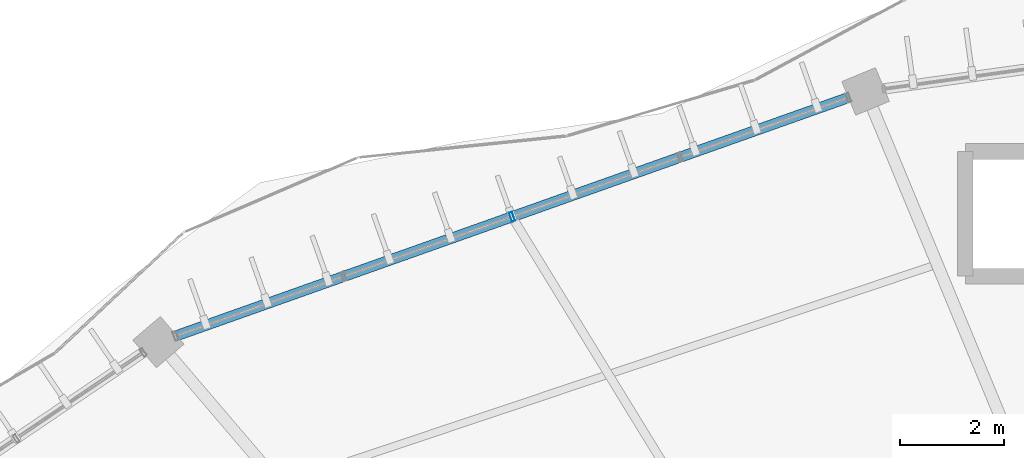
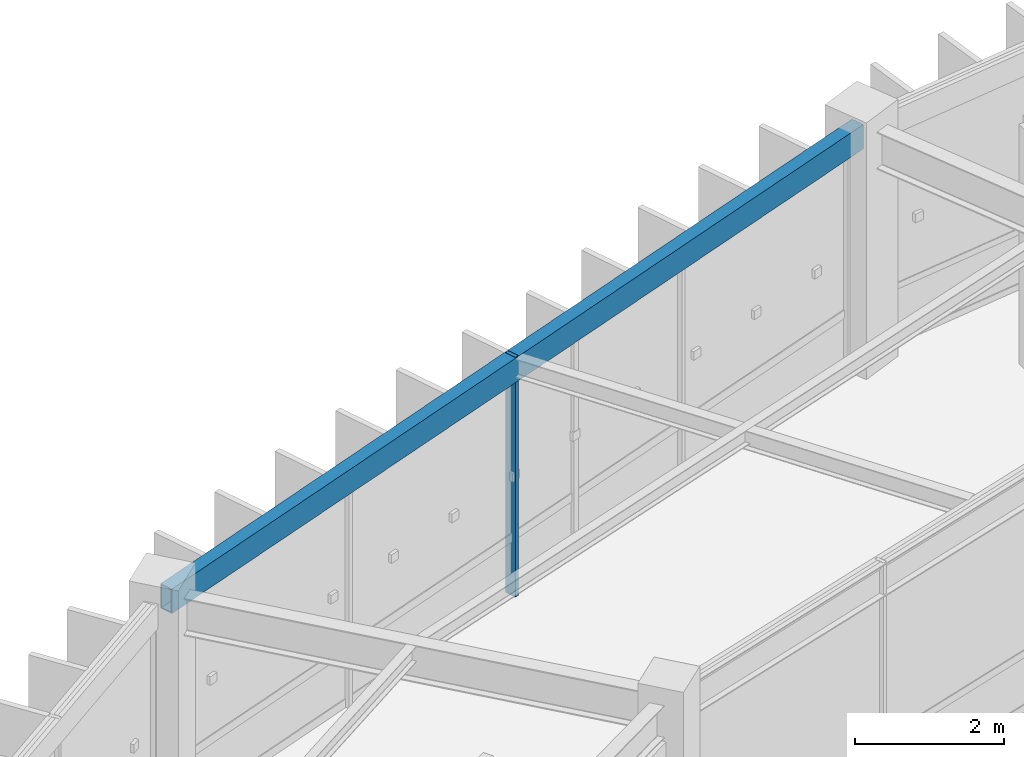
# One storey, part 47 of 138: 1 beam, 1 member, 1 element without a shape of its own.
"""IFC4 building model written with IfcOpenShell, lengths in metres."""

from ifc_helpers import new_model, si_unit, direction, frame, origin, origin_2d, place, context, subcontext, project, spatial, hollow_rectangle, extrude, material, material_profile, profile_set, type_object, element, aggregate, save


model = new_model("IFC4")

# Units and contexts
model_context = context("Model", 3, precision=1e-05, world=origin(), true_north=direction((0.0, 1.0)))
body_context = subcontext(model_context, "Body", "Model", "MODEL_VIEW")
ifc_project = project(units=[si_unit("LENGTHUNIT", "METRE"), si_unit("AREAUNIT", "SQUARE_METRE"), si_unit("VOLUMEUNIT", "CUBIC_METRE"), si_unit("PLANEANGLEUNIT", "RADIAN"), si_unit("MASSUNIT", "GRAM", prefix="KILO"), si_unit("THERMODYNAMICTEMPERATUREUNIT", "KELVIN"), si_unit("POWERUNIT", "WATT")], contexts=[model_context])

# Site, building, storey
site_placement = place(None, origin())
site = spatial("IfcSite", under=ifc_project, at=site_placement, CompositionType="ELEMENT")
building_placement = place(site_placement, origin())
building = spatial("IfcBuilding", under=site, at=building_placement, Name="Darbajah Civic Hall", CompositionType="ELEMENT")
storey_placement = place(building_placement, frame((0.0, 0.0, 9.60009765625)))
storey = spatial("IfcBuildingStorey", under=building, at=storey_placement, Name="L02", CompositionType="ELEMENT", Elevation=9.60009765625)

# Curtain wall, member
ifc_material_1 = material(Name="Anodised Bronze Aluminium and Low-E Glazing", Category="aluminium")
curtain_wall_type = type_object("IfcCurtainWallType", Name="Unitised Curtain Wall CW-24 13700x3900", PredefinedType="USERDEFINED", material=ifc_material_1)
curtain_wall_placement = place(storey_placement, origin())
curtain_wall = element("IfcCurtainWall", 1, at=curtain_wall_placement, inside=storey, type_object=curtain_wall_type, Name="L02 unitised curtain wall CW-V1O-L02-06", ObjectType="UNITISED CURTAIN WALL", PredefinedType="USERDEFINED")
ifc_material_2 = material(Name="Anodised Bronze Aluminium", Category="aluminium")
ifc_material_profile_1 = material_profile(ifc_material_2, hollow_rectangle(XDim=0.06494140625, YDim=0.179931640625, WallThickness=0.00390625, at=origin_2d()), Name="ALU MULLION 65x180")
ifc_profile_set_1 = profile_set([ifc_material_profile_1], Name="Anodised Bronze Aluminium")
member_type = type_object("IfcMemberType", Name="ALU MULLION 65x180", PredefinedType="MULLION", material=ifc_profile_set_1)
member_placement = place(storey_placement, frame((62.780517578125, 114.643310546875, 0.0), z_axis=(0.0, 0.0, 1.0), x_axis=(-0.94252491309, -0.334135882844, 0.0)))
member = element("IfcMember", 2, at=member_placement, type_object=member_type, Name="CW-V1O-L02-06 mullion 3", PredefinedType="MULLION", context=body_context, shape_type="SweptSolid", body=[
    extrude(hollow_rectangle(XDim=0.06494140625, YDim=0.179931640625, WallThickness=0.00390625, at=origin_2d()), origin(), (0.0, 0.0, 1.0), 3.919921875),
])
aggregate(curtain_wall, [member])

# Beam
ifc_material_3 = material(Name="Steel S355JR", Category="steel")
ifc_material_profile_2 = material_profile(ifc_material_3, hollow_rectangle(XDim=0.199951171875, YDim=0.39990234375, WallThickness=0.013916015625, at=origin_2d()), Name="RHS 400x200x14")
ifc_profile_set_2 = profile_set([ifc_material_profile_2], Name="Steel S355JR")
beam_type = type_object("IfcBeamType", Name="RHS 400x200x14", PredefinedType="SPANDREL", material=ifc_profile_set_2)
beam_placement = place(storey_placement, frame((69.5078125, 117.027587890625, 3.719970703125), z_axis=(-0.942545228917, -0.334078570768, 0.0), x_axis=(0.334078570768, -0.942545228917, 0.0)))
element("IfcBeam", 3, at=beam_placement, inside=storey, type_object=beam_type, Name="L02 beam SP-RHS400", PredefinedType="SPANDREL", context=body_context, shape_type="SweptSolid", body=[
    extrude(hollow_rectangle(XDim=0.199951171875, YDim=0.39990234375, WallThickness=0.013916015625, at=origin_2d()), origin(), (0.0, 0.0, 1.0), 14.2744140625),
])

save(model, "model.ifc")
